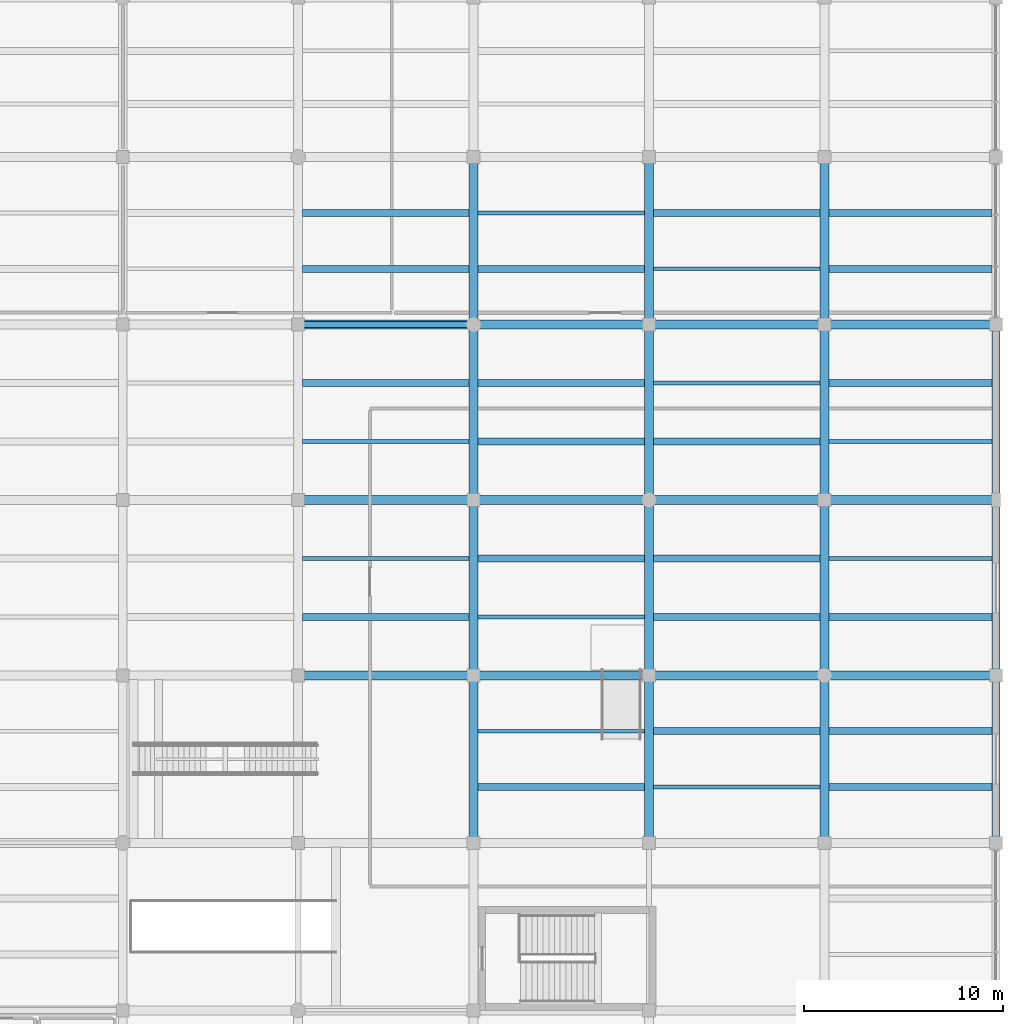
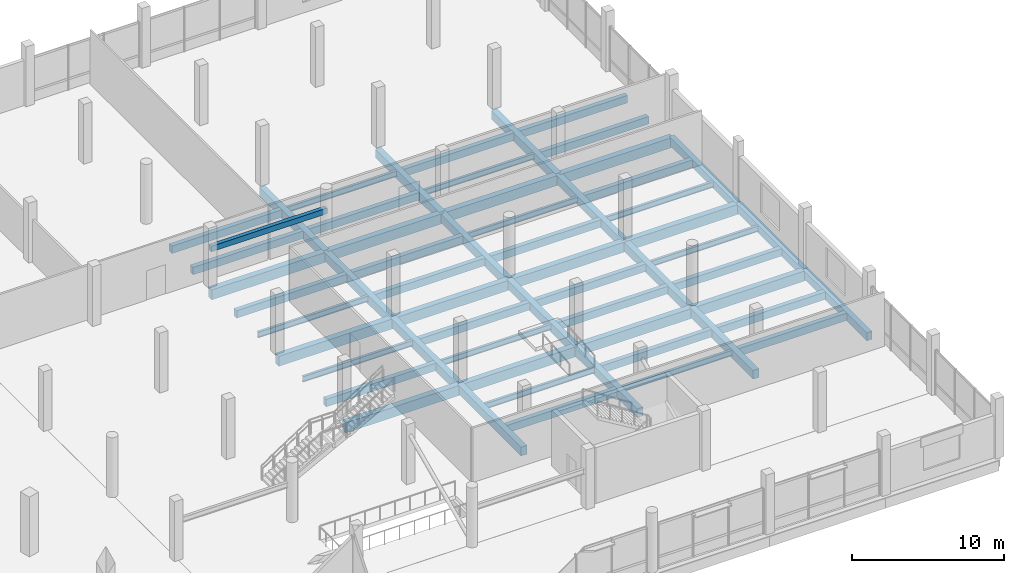
# One storey, part 46 of 71: 58 beams.
"""IFC4 building model written with IfcOpenShell, lengths in metres."""

from ifc_helpers import new_model, si_unit, direction, frame, origin, origin_2d, place, context, subcontext, project, spatial, rectangle, i_section, extrude, material, material_profile, profile_set, type_object, element, save


model = new_model("IFC4")

# Units and contexts
model_context = context("Model", 3, precision=1e-05, world=origin(), true_north=direction((0.0, 1.0)))
body_context = subcontext(model_context, "Body", "Model", "MODEL_VIEW")
ifc_project = project(units=[si_unit("LENGTHUNIT", "METRE"), si_unit("AREAUNIT", "SQUARE_METRE"), si_unit("VOLUMEUNIT", "CUBIC_METRE"), si_unit("PLANEANGLEUNIT", "RADIAN"), si_unit("MASSUNIT", "GRAM", prefix="KILO")], contexts=[model_context])

# Site, building, storey
site_placement = place(None, origin())
site = spatial("IfcSite", under=ifc_project, at=site_placement, CompositionType="ELEMENT")
building_placement = place(site_placement, origin())
building = spatial("IfcBuilding", under=site, at=building_placement, Name="Meriwether Solvik Hall", CompositionType="ELEMENT")
storey_placement = place(building_placement, frame((0.0, 0.0, 5.10009765625)))
storey = spatial("IfcBuildingStorey", under=building, at=storey_placement, Name="L01", CompositionType="ELEMENT", Elevation=5.10009765625)

# Beams
ifc_material_1 = material(Name="Concrete C40/50", Category="concrete")
ifc_material_profile_1 = material_profile(ifc_material_1, rectangle(XDim=0.300048828125, YDim=0.449951171875, at=origin_2d()), Name="RCB-300X450")
ifc_profile_set_1 = profile_set([ifc_material_profile_1], Name="Concrete C40/50")
beam_type_1 = type_object("IfcBeamType", Name="BM-RC-300X450", PredefinedType="LINTEL", material=ifc_profile_set_1)
beam_1_placement = place(storey_placement, frame((131.800048828125, 92.800048828125, 2.9248046875), z_axis=(1.0, 0.0, 0.0), x_axis=(0.0, 1.0, 0.0)))
element("IfcBeam", 1, at=beam_1_placement, inside=storey, type_object=beam_type_1, Name="Galleria Portal Lintel K:15-16 (L01)", PredefinedType="LINTEL", context=body_context, shape_type="SweptSolid", body=[
    extrude(rectangle(XDim=0.300048828125, YDim=0.449951171875, at=origin_2d()), origin(), (0.0, 0.0, 1.0), 8.800048828125),
])
ifc_material_2 = material(Name="Concrete C40/50", Category="concrete")
ifc_material_profile_2 = material_profile(ifc_material_2, rectangle(XDim=0.35009765625, YDim=0.60009765625, at=origin_2d()), Name="RCB-350X600")
ifc_profile_set_2 = profile_set([ifc_material_profile_2], Name="Concrete C40/50")
beam_type_2 = type_object("IfcBeamType", Name="BM-RC-350X600", PredefinedType="JOIST", material=ifc_profile_set_2)
for number, where, z_axis, x_axis, name in (
    (2, (132.02001953125, 78.13330078125, -0.60009765625), (1.0, 0.0, 0.0), (0.0, 1.0, 0.0), "Secondary Floor Joist 15/I_J1 (L01)"),
    (3, (132.02001953125, 89.86669921875, -0.60009765625), (1.0, 0.0, 0.0), (0.0, 1.0, 0.0), "Secondary Floor Joist 15/J_J2 (L01)"),
    (4, (132.02001953125, 95.60009765625, -0.60009765625), (1.0, 0.0, 0.0), (0.0, 1.0, 0.0), "Secondary Floor Joist 15/K_J1 (L01)"),
    (5, (132.02001953125, 98.39990234375, -0.60009765625), (1.0, 0.0, 0.0), (0.0, 1.0, 0.0), "Secondary Floor Joist 15/K_J2 (L01)"),
    (6, (140.820068359375, 69.60009765625, -0.60009765625), (1.0, 0.0, 0.0), (0.0, 1.0, 0.0), "Secondary Floor Joist 16/H_J1 (L01)"),
    (7, (140.820068359375, 81.066650390625, -0.60009765625), (1.0, 0.0, 0.0), (0.0, 1.0, 0.0), "Secondary Floor Joist 16/I_J2 (L01)"),
    (8, (140.820068359375, 86.933349609375, -0.60009765625), (1.0, 0.0, 0.0), (0.0, 1.0, 0.0), "Secondary Floor Joist 16/J_J1 (L01)"),
    (9, (140.820068359375, 89.86669921875, -0.60009765625), (1.0, 0.0, 0.0), (0.0, 1.0, 0.0), "Secondary Floor Joist 16/J_J2 (L01)"),
    (10, (140.820068359375, 95.60009765625, -0.60009765625), (1.0, 0.0, 0.0), (0.0, 1.0, 0.0), "Secondary Floor Joist 16/K_J1 (L01)"),
    (11, (149.6201171875, 72.39990234375, -0.60009765625), (1.0, 0.0, 0.0), (0.0, 1.0, 0.0), "Secondary Floor Joist 17/H_J2 (L01)"),
    (12, (149.6201171875, 78.13330078125, -0.60009765625), (1.0, 0.0, 0.0), (0.0, 1.0, 0.0), "Secondary Floor Joist 17/I_J1 (L01)"),
    (13, (149.6201171875, 81.066650390625, -0.60009765625), (1.0, 0.0, 0.0), (0.0, 1.0, 0.0), "Secondary Floor Joist 17/I_J2 (L01)"),
    (14, (149.6201171875, 86.933349609375, -0.60009765625), (1.0, 0.0, 0.0), (0.0, 1.0, 0.0), "Secondary Floor Joist 17/J_J1 (L01)"),
    (15, (149.6201171875, 98.39990234375, -0.60009765625), (1.0, 0.0, 0.0), (0.0, 1.0, 0.0), "Secondary Floor Joist 17/K_J2 (L01)"),
):
    element("IfcBeam", number, at=place(storey_placement, frame(where, z_axis=z_axis, x_axis=x_axis)), inside=storey, type_object=beam_type_2, Name=name, PredefinedType="JOIST", context=body_context, shape_type="SweptSolid", body=[
        extrude(rectangle(XDim=0.35009765625, YDim=0.60009765625, at=origin_2d()), origin(), (0.0, 0.0, 1.0), 8.35986328125),
    ])
for number, where, z_axis, x_axis, name in (
    (16, (158.419921875, 69.60009765625, -0.60009765625), (1.0, 0.0, 0.0), (0.0, 1.0, 0.0), "Secondary Floor Joist 18/H_J1 (L01)"),
    (17, (158.419921875, 72.39990234375, -0.60009765625), (1.0, 0.0, 0.0), (0.0, 1.0, 0.0), "Secondary Floor Joist 18/H_J2 (L01)"),
    (18, (158.419921875, 78.13330078125, -0.60009765625), (1.0, 0.0, 0.0), (0.0, 1.0, 0.0), "Secondary Floor Joist 18/I_J1 (L01)"),
    (19, (158.419921875, 89.86669921875, -0.60009765625), (1.0, 0.0, 0.0), (0.0, 1.0, 0.0), "Secondary Floor Joist 18/J_J2 (L01)"),
    (20, (158.419921875, 95.60009765625, -0.60009765625), (1.0, 0.0, 0.0), (0.0, 1.0, 0.0), "Secondary Floor Joist 18/K_J1 (L01)"),
    (21, (158.419921875, 98.39990234375, -0.60009765625), (1.0, 0.0, 0.0), (0.0, 1.0, 0.0), "Secondary Floor Joist 18/K_J2 (L01)"),
):
    element("IfcBeam", number, at=place(storey_placement, frame(where, z_axis=z_axis, x_axis=x_axis)), inside=storey, type_object=beam_type_2, Name=name, PredefinedType="JOIST", context=body_context, shape_type="SweptSolid", body=[
        extrude(rectangle(XDim=0.35009765625, YDim=0.60009765625, at=origin_2d()), origin(), (0.0, 0.0, 1.0), 8.18505859375),
    ])
ifc_material_3 = material(Name="Concrete C40/50", Category="concrete")
ifc_material_profile_3 = material_profile(ifc_material_3, rectangle(XDim=0.39990234375, YDim=0.64990234375, at=origin_2d()), Name="RCB-400X650")
ifc_profile_set_3 = profile_set([ifc_material_profile_3], Name="Concrete C40/50")
beam_type_3 = type_object("IfcBeamType", Name="BM-RC-400X650", PredefinedType="SPANDREL", material=ifc_profile_set_3)
beam_2_placement = place(storey_placement, frame((166.800048828125, 66.800048828125, -0.625), z_axis=(0.0, 1.0, 0.0), x_axis=(-1.0, 0.0, 0.0)))
element("IfcBeam", 22, at=beam_2_placement, inside=storey, type_object=beam_type_3, Name="Podium Girder 19:H-I (L01)", PredefinedType="SPANDREL", context=body_context, shape_type="SweptSolid", body=[
    extrude(rectangle(XDim=0.39990234375, YDim=0.64990234375, at=origin_2d()), origin(), (0.0, 0.0, 1.0), 8.39990234375),
])
for number, where, z_axis, x_axis, name in (
    (23, (166.800048828125, 75.199951171875, -0.625), (0.0, 1.0, 0.0), (-1.0, 0.0, 0.0), "Podium Girder 19:I-J (L01)"),
    (24, (166.800048828125, 84.0, -0.625), (0.0, 1.0, 0.0), (-1.0, 0.0, 0.0), "Podium Girder 19:J-K (L01)"),
):
    element("IfcBeam", number, at=place(storey_placement, frame(where, z_axis=z_axis, x_axis=x_axis)), inside=storey, type_object=beam_type_3, Name=name, PredefinedType="SPANDREL", context=body_context, shape_type="SweptSolid", body=[
        extrude(rectangle(XDim=0.39990234375, YDim=0.64990234375, at=origin_2d()), origin(), (0.0, 0.0, 1.0), 8.800048828125),
    ])
ifc_material_4 = material(Name="Concrete C40/50", Category="concrete")
ifc_material_profile_4 = material_profile(ifc_material_4, rectangle(XDim=0.449951171875, YDim=0.699951171875, at=origin_2d()), Name="RCB-450X700")
ifc_profile_set_4 = profile_set([ifc_material_profile_4], Name="Concrete C40/50")
beam_type_4 = type_object("IfcBeamType", Name="BM-RC-450X700", PredefinedType="BEAM", material=ifc_profile_set_4)
beam_3_placement = place(storey_placement, frame((140.60009765625, 66.800048828125, -0.650146484375), z_axis=(0.0, 1.0, 0.0), x_axis=(-1.0, 0.0, 0.0)))
element("IfcBeam", 25, at=beam_3_placement, inside=storey, type_object=beam_type_4, Name="Podium Girder 16:H-I (L01)", PredefinedType="BEAM", context=body_context, shape_type="SweptSolid", body=[
    extrude(rectangle(XDim=0.449951171875, YDim=0.699951171875, at=origin_2d()), origin(), (0.0, 0.0, 1.0), 8.39990234375),
])
for number, where, z_axis, x_axis, name in (
    (26, (140.60009765625, 75.199951171875, -0.650146484375), (0.0, 1.0, 0.0), (-1.0, 0.0, 0.0), "Podium Girder 16:I-J (L01)"),
    (27, (140.60009765625, 84.0, -0.650146484375), (0.0, 1.0, 0.0), (-1.0, 0.0, 0.0), "Podium Girder 16:J-K (L01)"),
):
    element("IfcBeam", number, at=place(storey_placement, frame(where, z_axis=z_axis, x_axis=x_axis)), inside=storey, type_object=beam_type_4, Name=name, PredefinedType="BEAM", context=body_context, shape_type="SweptSolid", body=[
        extrude(rectangle(XDim=0.449951171875, YDim=0.699951171875, at=origin_2d()), origin(), (0.0, 0.0, 1.0), 8.800048828125),
    ])
for number, where, z_axis, x_axis, name in (
    (28, (140.60009765625, 92.800048828125, -0.650146484375), (0.0, 1.0, 0.0), (-1.0, 0.0, 0.0), "Podium Girder 16:K-L (L01)"),
    (29, (149.39990234375, 66.800048828125, -0.650146484375), (0.0, 1.0, 0.0), (-1.0, 0.0, 0.0), "Podium Girder 17:H-I (L01)"),
):
    element("IfcBeam", number, at=place(storey_placement, frame(where, z_axis=z_axis, x_axis=x_axis)), inside=storey, type_object=beam_type_4, Name=name, PredefinedType="BEAM", context=body_context, shape_type="SweptSolid", body=[
        extrude(rectangle(XDim=0.449951171875, YDim=0.699951171875, at=origin_2d()), origin(), (0.0, 0.0, 1.0), 8.39990234375),
    ])
for number, where, z_axis, x_axis, name in (
    (30, (149.39990234375, 75.199951171875, -0.650146484375), (0.0, 1.0, 0.0), (-1.0, 0.0, 0.0), "Podium Girder 17:I-J (L01)"),
    (31, (149.39990234375, 84.0, -0.650146484375), (0.0, 1.0, 0.0), (-1.0, 0.0, 0.0), "Podium Girder 17:J-K (L01)"),
):
    element("IfcBeam", number, at=place(storey_placement, frame(where, z_axis=z_axis, x_axis=x_axis)), inside=storey, type_object=beam_type_4, Name=name, PredefinedType="BEAM", context=body_context, shape_type="SweptSolid", body=[
        extrude(rectangle(XDim=0.449951171875, YDim=0.699951171875, at=origin_2d()), origin(), (0.0, 0.0, 1.0), 8.800048828125),
    ])
for number, where, z_axis, x_axis, name in (
    (32, (149.39990234375, 92.800048828125, -0.650146484375), (0.0, 1.0, 0.0), (-1.0, 0.0, 0.0), "Podium Girder 17:K-L (L01)"),
    (33, (158.199951171875, 66.800048828125, -0.650146484375), (0.0, 1.0, 0.0), (-1.0, 0.0, 0.0), "Podium Girder 18:H-I (L01)"),
):
    element("IfcBeam", number, at=place(storey_placement, frame(where, z_axis=z_axis, x_axis=x_axis)), inside=storey, type_object=beam_type_4, Name=name, PredefinedType="BEAM", context=body_context, shape_type="SweptSolid", body=[
        extrude(rectangle(XDim=0.449951171875, YDim=0.699951171875, at=origin_2d()), origin(), (0.0, 0.0, 1.0), 8.39990234375),
    ])
for number, where, z_axis, x_axis, name in (
    (34, (158.199951171875, 75.199951171875, -0.650146484375), (0.0, 1.0, 0.0), (-1.0, 0.0, 0.0), "Podium Girder 18:I-J (L01)"),
    (35, (158.199951171875, 84.0, -0.650146484375), (0.0, 1.0, 0.0), (-1.0, 0.0, 0.0), "Podium Girder 18:J-K (L01)"),
):
    element("IfcBeam", number, at=place(storey_placement, frame(where, z_axis=z_axis, x_axis=x_axis)), inside=storey, type_object=beam_type_4, Name=name, PredefinedType="BEAM", context=body_context, shape_type="SweptSolid", body=[
        extrude(rectangle(XDim=0.449951171875, YDim=0.699951171875, at=origin_2d()), origin(), (0.0, 0.0, 1.0), 8.800048828125),
    ])
beam_4_placement = place(storey_placement, frame((158.199951171875, 92.800048828125, -0.650146484375), z_axis=(0.0, 1.0, 0.0), x_axis=(-1.0, 0.0, 0.0)))
element("IfcBeam", 36, at=beam_4_placement, inside=storey, type_object=beam_type_4, Name="Podium Girder 18:K-L (L01)", PredefinedType="BEAM", context=body_context, shape_type="SweptSolid", body=[
    extrude(rectangle(XDim=0.449951171875, YDim=0.699951171875, at=origin_2d()), origin(), (0.0, 0.0, 1.0), 8.39990234375),
])
ifc_material_5 = material(Name="Concrete C40/50", Category="concrete")
ifc_material_profile_5 = material_profile(ifc_material_5, rectangle(XDim=0.449951171875, YDim=0.800048828125, at=origin_2d()), Name="RCB-450X800")
ifc_profile_set_5 = profile_set([ifc_material_profile_5], Name="Concrete C40/50")
beam_type_5 = type_object("IfcBeamType", Name="BM-RC-450X800", PredefinedType="BEAM", material=ifc_profile_set_5)
beam_5_placement = place(storey_placement, frame((131.800048828125, 75.199951171875, -0.7001953125), z_axis=(1.0, 0.0, 0.0), x_axis=(0.0, 1.0, 0.0)))
element("IfcBeam", 37, at=beam_5_placement, inside=storey, type_object=beam_type_5, Name="Podium Girder I:15-16 (L01)", PredefinedType="BEAM", context=body_context, shape_type="SweptSolid", body=[
    extrude(rectangle(XDim=0.449951171875, YDim=0.800048828125, at=origin_2d()), origin(), (0.0, 0.0, 1.0), 8.800048828125),
])
beam_6_placement = place(storey_placement, frame((140.60009765625, 75.199951171875, -0.7001953125), z_axis=(1.0, 0.0, 0.0), x_axis=(0.0, 1.0, 0.0)))
element("IfcBeam", 38, at=beam_6_placement, inside=storey, type_object=beam_type_5, Name="Podium Girder I:16-17 (L01)", PredefinedType="BEAM", context=body_context, shape_type="SweptSolid", body=[
    extrude(rectangle(XDim=0.449951171875, YDim=0.800048828125, at=origin_2d()), origin(), (0.0, 0.0, 1.0), 8.7998046875),
])
beam_7_placement = place(storey_placement, frame((149.39990234375, 75.199951171875, -0.7001953125), z_axis=(1.0, 0.0, 0.0), x_axis=(0.0, 1.0, 0.0)))
element("IfcBeam", 39, at=beam_7_placement, inside=storey, type_object=beam_type_5, Name="Podium Girder I:17-18 (L01)", PredefinedType="BEAM", context=body_context, shape_type="SweptSolid", body=[
    extrude(rectangle(XDim=0.449951171875, YDim=0.800048828125, at=origin_2d()), origin(), (0.0, 0.0, 1.0), 8.800048828125),
])
beam_8_placement = place(storey_placement, frame((158.199951171875, 75.199951171875, -0.7001953125), z_axis=(1.0, 0.0, 0.0), x_axis=(0.0, 1.0, 0.0)))
element("IfcBeam", 40, at=beam_8_placement, inside=storey, type_object=beam_type_5, Name="Podium Girder I:18-19 (L01)", PredefinedType="BEAM", context=body_context, shape_type="SweptSolid", body=[
    extrude(rectangle(XDim=0.449951171875, YDim=0.800048828125, at=origin_2d()), origin(), (0.0, 0.0, 1.0), 8.60009765625),
])
beam_9_placement = place(storey_placement, frame((131.800048828125, 84.0, -0.7001953125), z_axis=(1.0, 0.0, 0.0), x_axis=(0.0, 1.0, 0.0)))
element("IfcBeam", 41, at=beam_9_placement, inside=storey, type_object=beam_type_5, Name="Podium Girder J:15-16 (L01)", PredefinedType="BEAM", context=body_context, shape_type="SweptSolid", body=[
    extrude(rectangle(XDim=0.449951171875, YDim=0.800048828125, at=origin_2d()), origin(), (0.0, 0.0, 1.0), 8.800048828125),
])
beam_10_placement = place(storey_placement, frame((140.60009765625, 84.0, -0.7001953125), z_axis=(1.0, 0.0, 0.0), x_axis=(0.0, 1.0, 0.0)))
element("IfcBeam", 42, at=beam_10_placement, inside=storey, type_object=beam_type_5, Name="Podium Girder J:16-17 (L01)", PredefinedType="BEAM", context=body_context, shape_type="SweptSolid", body=[
    extrude(rectangle(XDim=0.449951171875, YDim=0.800048828125, at=origin_2d()), origin(), (0.0, 0.0, 1.0), 8.7998046875),
])
beam_11_placement = place(storey_placement, frame((149.39990234375, 84.0, -0.7001953125), z_axis=(1.0, 0.0, 0.0), x_axis=(0.0, 1.0, 0.0)))
element("IfcBeam", 43, at=beam_11_placement, inside=storey, type_object=beam_type_5, Name="Podium Girder J:17-18 (L01)", PredefinedType="BEAM", context=body_context, shape_type="SweptSolid", body=[
    extrude(rectangle(XDim=0.449951171875, YDim=0.800048828125, at=origin_2d()), origin(), (0.0, 0.0, 1.0), 8.800048828125),
])
beam_12_placement = place(storey_placement, frame((158.199951171875, 84.0, -0.7001953125), z_axis=(1.0, 0.0, 0.0), x_axis=(0.0, 1.0, 0.0)))
element("IfcBeam", 44, at=beam_12_placement, inside=storey, type_object=beam_type_5, Name="Podium Girder J:18-19 (L01)", PredefinedType="BEAM", context=body_context, shape_type="SweptSolid", body=[
    extrude(rectangle(XDim=0.449951171875, YDim=0.800048828125, at=origin_2d()), origin(), (0.0, 0.0, 1.0), 8.60009765625),
])
beam_13_placement = place(storey_placement, frame((131.800048828125, 92.800048828125, -0.7001953125), z_axis=(1.0, 0.0, 0.0), x_axis=(0.0, 1.0, 0.0)))
element("IfcBeam", 45, at=beam_13_placement, inside=storey, type_object=beam_type_5, Name="Podium Girder K:15-16 (L01)", PredefinedType="BEAM", context=body_context, shape_type="SweptSolid", body=[
    extrude(rectangle(XDim=0.449951171875, YDim=0.800048828125, at=origin_2d()), origin(), (0.0, 0.0, 1.0), 8.800048828125),
])
beam_14_placement = place(storey_placement, frame((140.60009765625, 92.800048828125, -0.7001953125), z_axis=(1.0, 0.0, 0.0), x_axis=(0.0, 1.0, 0.0)))
element("IfcBeam", 46, at=beam_14_placement, inside=storey, type_object=beam_type_5, Name="Podium Girder K:16-17 (L01)", PredefinedType="BEAM", context=body_context, shape_type="SweptSolid", body=[
    extrude(rectangle(XDim=0.449951171875, YDim=0.800048828125, at=origin_2d()), origin(), (0.0, 0.0, 1.0), 8.7998046875),
])
beam_15_placement = place(storey_placement, frame((149.39990234375, 92.800048828125, -0.7001953125), z_axis=(1.0, 0.0, 0.0), x_axis=(0.0, 1.0, 0.0)))
element("IfcBeam", 47, at=beam_15_placement, inside=storey, type_object=beam_type_5, Name="Podium Girder K:17-18 (L01)", PredefinedType="BEAM", context=body_context, shape_type="SweptSolid", body=[
    extrude(rectangle(XDim=0.449951171875, YDim=0.800048828125, at=origin_2d()), origin(), (0.0, 0.0, 1.0), 8.800048828125),
])
beam_16_placement = place(storey_placement, frame((158.199951171875, 92.800048828125, -0.7001953125), z_axis=(1.0, 0.0, 0.0), x_axis=(0.0, 1.0, 0.0)))
element("IfcBeam", 48, at=beam_16_placement, inside=storey, type_object=beam_type_5, Name="Podium Girder K:18-19 (L01)", PredefinedType="BEAM", context=body_context, shape_type="SweptSolid", body=[
    extrude(rectangle(XDim=0.449951171875, YDim=0.800048828125, at=origin_2d()), origin(), (0.0, 0.0, 1.0), 8.60009765625),
])
ifc_material_6 = material(Name="Steel A992 Grade 50", Category="steel")
ifc_material_profile_6 = material_profile(ifc_material_6, i_section(OverallWidth=0.19091796875, OverallDepth=0.45703125, WebThickness=0.009033203125, FlangeThickness=0.014404296875, at=origin_2d()), Name="W18X50")
ifc_profile_set_6 = profile_set([ifc_material_profile_6], Name="Steel A992 Grade 50")
beam_type_6 = type_object("IfcBeamType", Name="BM-STL-W18X50", PredefinedType="JOIST", material=ifc_profile_set_6)
for number, where, z_axis, x_axis, name in (
    (49, (132.02001953125, 81.066650390625, -0.528564453125), (1.0, 0.0, 0.0), (0.0, 1.0, 0.0), "Secondary Floor Joist 15/I_J2 (L01)"),
    (50, (132.02001953125, 86.933349609375, -0.528564453125), (1.0, 0.0, 0.0), (0.0, 1.0, 0.0), "Secondary Floor Joist 15/J_J1 (L01)"),
    (51, (140.820068359375, 72.39990234375, -0.528564453125), (1.0, 0.0, 0.0), (0.0, 1.0, 0.0), "Secondary Floor Joist 16/H_J2 (L01)"),
    (52, (140.820068359375, 78.13330078125, -0.528564453125), (1.0, 0.0, 0.0), (0.0, 1.0, 0.0), "Secondary Floor Joist 16/I_J1 (L01)"),
    (53, (140.820068359375, 98.39990234375, -0.528564453125), (1.0, 0.0, 0.0), (0.0, 1.0, 0.0), "Secondary Floor Joist 16/K_J2 (L01)"),
    (54, (149.6201171875, 69.60009765625, -0.528564453125), (1.0, 0.0, 0.0), (0.0, 1.0, 0.0), "Secondary Floor Joist 17/H_J1 (L01)"),
    (55, (149.6201171875, 89.86669921875, -0.528564453125), (1.0, 0.0, 0.0), (0.0, 1.0, 0.0), "Secondary Floor Joist 17/J_J2 (L01)"),
    (56, (149.6201171875, 95.60009765625, -0.528564453125), (1.0, 0.0, 0.0), (0.0, 1.0, 0.0), "Secondary Floor Joist 17/K_J1 (L01)"),
):
    element("IfcBeam", number, at=place(storey_placement, frame(where, z_axis=z_axis, x_axis=x_axis)), inside=storey, type_object=beam_type_6, Name=name, PredefinedType="JOIST", context=body_context, shape_type="SweptSolid", body=[
        extrude(i_section(OverallWidth=0.19091796875, OverallDepth=0.45703125, WebThickness=0.009033203125, FlangeThickness=0.014404296875, at=origin_2d()), origin(), (0.0, 0.0, 1.0), 8.35986328125),
    ])
for number, where, z_axis, x_axis, name in (
    (57, (158.419921875, 81.066650390625, -0.528564453125), (1.0, 0.0, 0.0), (0.0, 1.0, 0.0), "Secondary Floor Joist 18/I_J2 (L01)"),
    (58, (158.419921875, 86.933349609375, -0.528564453125), (1.0, 0.0, 0.0), (0.0, 1.0, 0.0), "Secondary Floor Joist 18/J_J1 (L01)"),
):
    element("IfcBeam", number, at=place(storey_placement, frame(where, z_axis=z_axis, x_axis=x_axis)), inside=storey, type_object=beam_type_6, Name=name, PredefinedType="JOIST", context=body_context, shape_type="SweptSolid", body=[
        extrude(i_section(OverallWidth=0.19091796875, OverallDepth=0.45703125, WebThickness=0.009033203125, FlangeThickness=0.014404296875, at=origin_2d()), origin(), (0.0, 0.0, 1.0), 8.18505859375),
    ])

save(model, "model.ifc")
